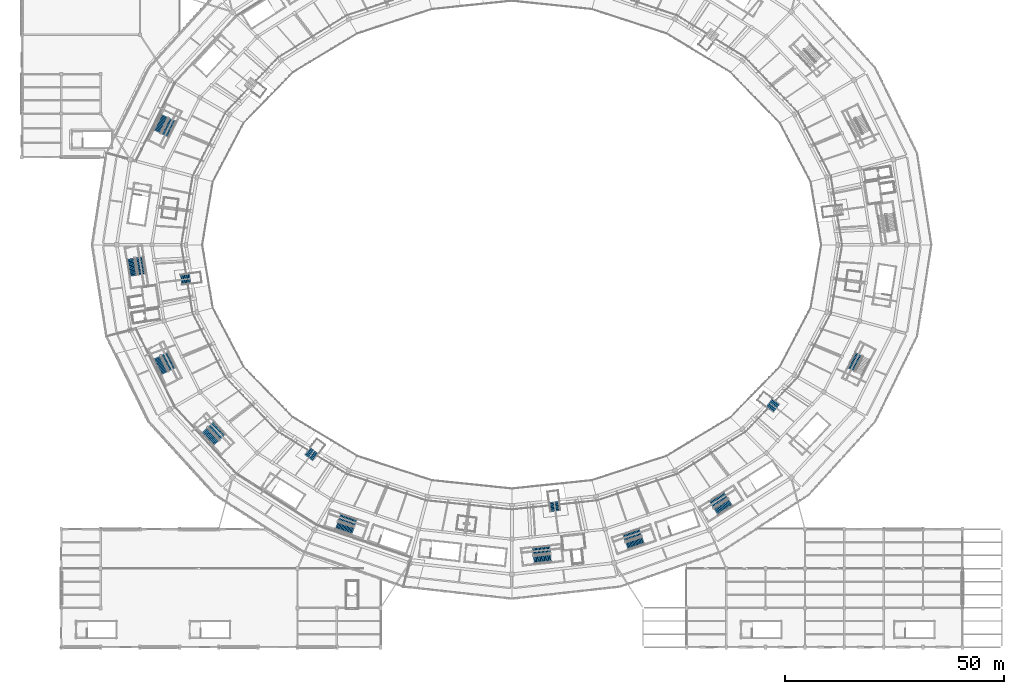
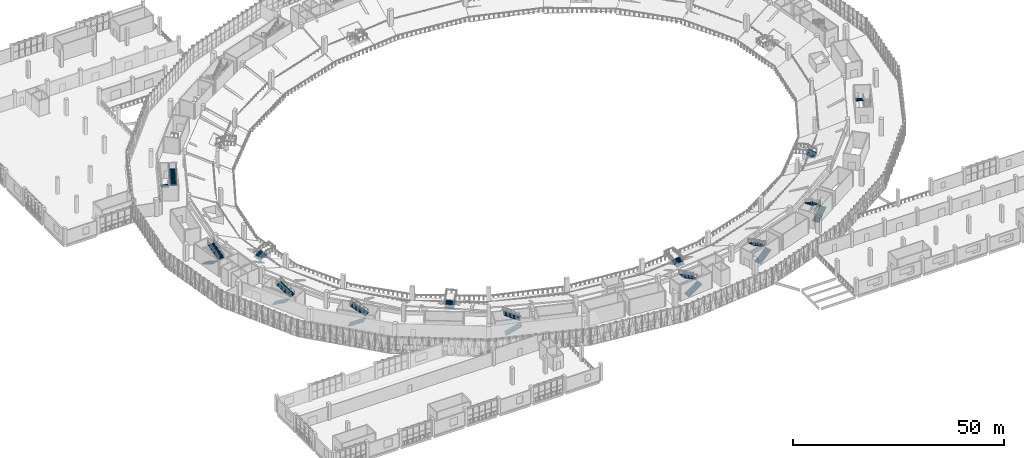
# One storey, part 103 of 152: 21 stair flights, 13 elements without a shape of their own.
"""IFC4 building model written with IfcOpenShell, lengths in metres."""

from ifc_helpers import new_model, si_unit, direction, frame, origin, place, context, subcontext, project, spatial, polyline, outline, extrude, material, type_object, element, aggregate, save


model = new_model("IFC4")

# Units and contexts
model_context = context("Model", 3, precision=1e-05, world=origin(), true_north=direction((0.0, 1.0)))
body_context = subcontext(model_context, "Body", "Model", "MODEL_VIEW")
ifc_project = project(units=[si_unit("LENGTHUNIT", "METRE"), si_unit("AREAUNIT", "SQUARE_METRE"), si_unit("VOLUMEUNIT", "CUBIC_METRE"), si_unit("PLANEANGLEUNIT", "RADIAN"), si_unit("MASSUNIT", "GRAM", prefix="KILO")], contexts=[model_context])

# Site, building, storey
site_placement = place(None, origin())
site = spatial("IfcSite", under=ifc_project, at=site_placement, CompositionType="ELEMENT")
building_placement = place(site_placement, origin())
building = spatial("IfcBuilding", under=site, at=building_placement, Name="Zevraka Park Crest Stadium", CompositionType="ELEMENT")
storey_placement = place(building_placement, frame((0.0, 0.0, 15.0)))
storey = spatial("IfcBuildingStorey", under=building, at=storey_placement, Name="L03", CompositionType="ELEMENT", Elevation=15.0)

# Stair, stair flights
ifc_material_1 = material(Name="Concrete C35/45", Category="concrete")
stair_type_1 = type_object("IfcStairType", Name="STA2", PredefinedType="HALF_TURN_STAIR", material=ifc_material_1)
stair_1_placement = place(storey_placement, origin())
stair_1 = element("IfcStair", 1, at=stair_1_placement, inside=storey, type_object=stair_type_1, Name="L03 Protected Concourse Exit Stair ST11", PredefinedType="HALF_TURN_STAIR")
ifc_material_2 = material(Name="Concrete C35/45", Category="concrete")
stair_flight_type_1 = type_object("IfcStairFlightType", Name="FLA2", PredefinedType="STRAIGHT", material=ifc_material_2)
stair_flight_1_placement = place(storey_placement, frame((32.707763671875, 121.415771484375, 0.0), z_axis=(0.0, 0.0, 1.0), x_axis=(-0.447915140373, -0.894076074518, 0.0)))
stair_flight_1 = element("IfcStairFlight", 2, at=stair_flight_1_placement, type_object=stair_flight_type_1, Name="ST11 flight 1", NumberOfRisers=14, NumberOfTreads=13, PredefinedType="STRAIGHT", RiserHeight=0.171428571, TreadLength=0.305, context=body_context, shape_type="SweptSolid", body=[
    extrude(outline(polyline([(0.0, 0.0), (0.0, 0.17138671875), (0.304931640625, 0.17138671875), (0.304931640625, 0.3427734375), (0.610107421875, 0.3427734375), (0.610107421875, 0.514404296875), (0.9150390625, 0.514404296875), (0.9150390625, 0.685791015625), (1.219970703125, 0.685791015625), (1.219970703125, 0.857177734375), (1.52490234375, 0.857177734375), (1.52490234375, 1.028564453125), (1.830078125, 1.028564453125), (1.830078125, 1.199951171875), (2.135009765625, 1.199951171875), (2.135009765625, 1.371337890625), (2.43994140625, 1.371337890625), (2.43994140625, 1.54296875), (2.7451171875, 1.54296875), (2.7451171875, 1.71435546875), (3.050048828125, 1.71435546875), (3.050048828125, 1.8857421875), (3.35498046875, 1.8857421875), (3.35498046875, 2.05712890625), (3.659912109375, 2.05712890625), (3.659912109375, 2.228515625), (3.965087890625, 2.228515625), (3.965087890625, 2.39990234375), (3.965087890625, 2.045166015625), (0.326416015625, 0.0), (0.0, 0.0)])), frame((0.0, 0.89990234375, 0.0), z_axis=(0.0, -1.0, 0.0), x_axis=(1.0, 0.0, 0.0)), (0.0, 0.0, 1.0), 1.800048828125),
])
stair_flight_2_placement = place(storey_placement, frame((32.684326171875, 116.99267578125, 2.39990234375), z_axis=(0.0, 0.0, 1.0), x_axis=(0.447915140373, 0.894076074518, 0.0)))
stair_flight_2 = element("IfcStairFlight", 3, at=stair_flight_2_placement, type_object=stair_flight_type_1, Name="ST11 flight 2", NumberOfRisers=14, NumberOfTreads=13, PredefinedType="STRAIGHT", RiserHeight=0.171428571, TreadLength=0.305, context=body_context, shape_type="SweptSolid", body=[
    extrude(outline(polyline([(0.0, 0.0), (0.0, 0.17138671875), (0.304931640625, 0.17138671875), (0.304931640625, 0.3427734375), (0.610107421875, 0.3427734375), (0.610107421875, 0.514404296875), (0.9150390625, 0.514404296875), (0.9150390625, 0.685791015625), (1.219970703125, 0.685791015625), (1.219970703125, 0.857177734375), (1.52490234375, 0.857177734375), (1.52490234375, 1.028564453125), (1.830078125, 1.028564453125), (1.830078125, 1.199951171875), (2.135009765625, 1.199951171875), (2.135009765625, 1.371337890625), (2.43994140625, 1.371337890625), (2.43994140625, 1.54296875), (2.7451171875, 1.54296875), (2.7451171875, 1.71435546875), (3.050048828125, 1.71435546875), (3.050048828125, 1.8857421875), (3.35498046875, 1.8857421875), (3.35498046875, 2.05712890625), (3.659912109375, 2.05712890625), (3.659912109375, 2.228515625), (3.965087890625, 2.228515625), (3.965087890625, 2.39990234375), (3.965087890625, 2.045166015625), (0.326416015625, 0.0), (0.0, 0.0)])), frame((0.0, 0.89990234375, 0.0), z_axis=(0.0, -1.0, 0.0), x_axis=(1.0, 0.0, 0.0)), (0.0, 0.0, 1.0), 1.800048828125),
])
aggregate(stair_1, [stair_flight_1, stair_flight_2])

stair_2_placement = place(storey_placement, origin())
stair_2 = element("IfcStair", 4, at=stair_2_placement, inside=storey, type_object=stair_type_1, Name="L03 Protected Concourse Exit Stair ST13", PredefinedType="HALF_TURN_STAIR")
stair_flight_3_placement = place(storey_placement, frame((24.9140625, 88.82666015625, 0.0), z_axis=(0.0, 0.0, 1.0), x_axis=(0.157261853897, -0.987556939781, 0.0)))
stair_flight_3 = element("IfcStairFlight", 5, at=stair_flight_3_placement, type_object=stair_flight_type_1, Name="ST13 flight 1", NumberOfRisers=14, NumberOfTreads=13, PredefinedType="STRAIGHT", RiserHeight=0.171428571, TreadLength=0.305, context=body_context, shape_type="SweptSolid", body=[
    extrude(outline(polyline([(0.0, 0.0), (0.0, 0.17138671875), (0.304931640625, 0.17138671875), (0.304931640625, 0.3427734375), (0.610107421875, 0.3427734375), (0.610107421875, 0.514404296875), (0.9150390625, 0.514404296875), (0.9150390625, 0.685791015625), (1.219970703125, 0.685791015625), (1.219970703125, 0.857177734375), (1.52490234375, 0.857177734375), (1.52490234375, 1.028564453125), (1.830078125, 1.028564453125), (1.830078125, 1.199951171875), (2.135009765625, 1.199951171875), (2.135009765625, 1.371337890625), (2.43994140625, 1.371337890625), (2.43994140625, 1.54296875), (2.7451171875, 1.54296875), (2.7451171875, 1.71435546875), (3.050048828125, 1.71435546875), (3.050048828125, 1.8857421875), (3.35498046875, 1.8857421875), (3.35498046875, 2.05712890625), (3.659912109375, 2.05712890625), (3.659912109375, 2.228515625), (3.965087890625, 2.228515625), (3.965087890625, 2.39990234375), (3.965087890625, 2.045166015625), (0.326416015625, 0.0), (0.0, 0.0)])), frame((0.0, 0.89990234375, 0.0), z_axis=(0.0, -1.0, 0.0), x_axis=(1.0, 0.0, 0.0)), (0.0, 0.0, 1.0), 1.800048828125),
])
stair_flight_4_placement = place(storey_placement, frame((27.47314453125, 85.21923828125, 2.39990234375), z_axis=(0.0, 0.0, 1.0), x_axis=(-0.157261853897, 0.987556939781, 0.0)))
stair_flight_4 = element("IfcStairFlight", 6, at=stair_flight_4_placement, type_object=stair_flight_type_1, Name="ST13 flight 2", NumberOfRisers=14, NumberOfTreads=13, PredefinedType="STRAIGHT", RiserHeight=0.171428571, TreadLength=0.305, context=body_context, shape_type="SweptSolid", body=[
    extrude(outline(polyline([(0.0, 0.0), (0.0, 0.17138671875), (0.304931640625, 0.17138671875), (0.304931640625, 0.3427734375), (0.610107421875, 0.3427734375), (0.610107421875, 0.514404296875), (0.9150390625, 0.514404296875), (0.9150390625, 0.685791015625), (1.219970703125, 0.685791015625), (1.219970703125, 0.857177734375), (1.52490234375, 0.857177734375), (1.52490234375, 1.028564453125), (1.830078125, 1.028564453125), (1.830078125, 1.199951171875), (2.135009765625, 1.199951171875), (2.135009765625, 1.371337890625), (2.43994140625, 1.371337890625), (2.43994140625, 1.54296875), (2.7451171875, 1.54296875), (2.7451171875, 1.71435546875), (3.050048828125, 1.71435546875), (3.050048828125, 1.8857421875), (3.35498046875, 1.8857421875), (3.35498046875, 2.05712890625), (3.659912109375, 2.05712890625), (3.659912109375, 2.228515625), (3.965087890625, 2.228515625), (3.965087890625, 2.39990234375), (3.965087890625, 2.045166015625), (0.326416015625, 0.0), (0.0, 0.0)])), frame((0.0, 0.89990234375, 0.0), z_axis=(0.0, -1.0, 0.0), x_axis=(1.0, 0.0, 0.0)), (0.0, 0.0, 1.0), 1.800048828125),
])
aggregate(stair_2, [stair_flight_3, stair_flight_4])

stair_3_placement = place(storey_placement, origin())
stair_3 = element("IfcStair", 7, at=stair_3_placement, inside=storey, type_object=stair_type_1, Name="L03 Protected Concourse Exit Stair ST14", PredefinedType="HALF_TURN_STAIR")
stair_flight_5_placement = place(storey_placement, frame((30.8935546875, 66.2060546875, 0.0), z_axis=(0.0, 0.0, 1.0), x_axis=(0.447915140373, -0.894076074518, 0.0)))
stair_flight_5 = element("IfcStairFlight", 8, at=stair_flight_5_placement, type_object=stair_flight_type_1, Name="ST14 flight 1", NumberOfRisers=14, NumberOfTreads=13, PredefinedType="STRAIGHT", RiserHeight=0.171428571, TreadLength=0.305, context=body_context, shape_type="SweptSolid", body=[
    extrude(outline(polyline([(0.0, 0.0), (0.0, 0.17138671875), (0.304931640625, 0.17138671875), (0.304931640625, 0.3427734375), (0.610107421875, 0.3427734375), (0.610107421875, 0.514404296875), (0.9150390625, 0.514404296875), (0.9150390625, 0.685791015625), (1.219970703125, 0.685791015625), (1.219970703125, 0.857177734375), (1.52490234375, 0.857177734375), (1.52490234375, 1.028564453125), (1.830078125, 1.028564453125), (1.830078125, 1.199951171875), (2.135009765625, 1.199951171875), (2.135009765625, 1.371337890625), (2.43994140625, 1.371337890625), (2.43994140625, 1.54296875), (2.7451171875, 1.54296875), (2.7451171875, 1.71435546875), (3.050048828125, 1.71435546875), (3.050048828125, 1.8857421875), (3.35498046875, 1.8857421875), (3.35498046875, 2.05712890625), (3.659912109375, 2.05712890625), (3.659912109375, 2.228515625), (3.965087890625, 2.228515625), (3.965087890625, 2.39990234375), (3.965087890625, 2.045166015625), (0.326416015625, 0.0), (0.0, 0.0)])), frame((0.0, 0.89990234375, 0.0), z_axis=(0.0, -1.0, 0.0), x_axis=(1.0, 0.0, 0.0)), (0.0, 0.0, 1.0), 1.800048828125),
])
stair_flight_6_placement = place(storey_placement, frame((34.421875, 63.538818359375, 2.39990234375), z_axis=(0.0, 0.0, 1.0), x_axis=(-0.447915140373, 0.894076074518, 0.0)))
stair_flight_6 = element("IfcStairFlight", 9, at=stair_flight_6_placement, type_object=stair_flight_type_1, Name="ST14 flight 2", NumberOfRisers=14, NumberOfTreads=13, PredefinedType="STRAIGHT", RiserHeight=0.171428571, TreadLength=0.305, context=body_context, shape_type="SweptSolid", body=[
    extrude(outline(polyline([(0.0, 0.0), (0.0, 0.17138671875), (0.304931640625, 0.17138671875), (0.304931640625, 0.3427734375), (0.610107421875, 0.3427734375), (0.610107421875, 0.514404296875), (0.9150390625, 0.514404296875), (0.9150390625, 0.685791015625), (1.219970703125, 0.685791015625), (1.219970703125, 0.857177734375), (1.52490234375, 0.857177734375), (1.52490234375, 1.028564453125), (1.830078125, 1.028564453125), (1.830078125, 1.199951171875), (2.135009765625, 1.199951171875), (2.135009765625, 1.371337890625), (2.43994140625, 1.371337890625), (2.43994140625, 1.54296875), (2.7451171875, 1.54296875), (2.7451171875, 1.71435546875), (3.050048828125, 1.71435546875), (3.050048828125, 1.8857421875), (3.35498046875, 1.8857421875), (3.35498046875, 2.05712890625), (3.659912109375, 2.05712890625), (3.659912109375, 2.228515625), (3.965087890625, 2.228515625), (3.965087890625, 2.39990234375), (3.965087890625, 2.045166015625), (0.326416015625, 0.0), (0.0, 0.0)])), frame((0.0, 0.89990234375, 0.0), z_axis=(0.0, -1.0, 0.0), x_axis=(1.0, 0.0, 0.0)), (0.0, 0.0, 1.0), 1.800048828125),
])
aggregate(stair_3, [stair_flight_5, stair_flight_6])

stair_4_placement = place(storey_placement, origin())
stair_4 = element("IfcStair", 10, at=stair_4_placement, inside=storey, type_object=stair_type_1, Name="L03 Protected Concourse Exit Stair ST15", PredefinedType="HALF_TURN_STAIR")
stair_flight_7_placement = place(storey_placement, frame((41.787353515625, 49.603759765625, 0.0), z_axis=(0.0, 0.0, 1.0), x_axis=(0.680255347227, -0.732975212793, 0.0)))
stair_flight_7 = element("IfcStairFlight", 11, at=stair_flight_7_placement, type_object=stair_flight_type_1, Name="ST15 flight 1", NumberOfRisers=14, NumberOfTreads=13, PredefinedType="STRAIGHT", RiserHeight=0.171428571, TreadLength=0.305, context=body_context, shape_type="SweptSolid", body=[
    extrude(outline(polyline([(0.0, 0.0), (0.0, 0.17138671875), (0.304931640625, 0.17138671875), (0.304931640625, 0.3427734375), (0.610107421875, 0.3427734375), (0.610107421875, 0.514404296875), (0.9150390625, 0.514404296875), (0.9150390625, 0.685791015625), (1.219970703125, 0.685791015625), (1.219970703125, 0.857177734375), (1.52490234375, 0.857177734375), (1.52490234375, 1.028564453125), (1.830078125, 1.028564453125), (1.830078125, 1.199951171875), (2.135009765625, 1.199951171875), (2.135009765625, 1.371337890625), (2.43994140625, 1.371337890625), (2.43994140625, 1.54296875), (2.7451171875, 1.54296875), (2.7451171875, 1.71435546875), (3.050048828125, 1.71435546875), (3.050048828125, 1.8857421875), (3.35498046875, 1.8857421875), (3.35498046875, 2.05712890625), (3.659912109375, 2.05712890625), (3.659912109375, 2.228515625), (3.965087890625, 2.228515625), (3.965087890625, 2.39990234375), (3.965087890625, 2.045166015625), (0.326416015625, 0.0), (0.0, 0.0)])), frame((0.0, 0.89990234375, 0.0), z_axis=(0.0, -1.0, 0.0), x_axis=(1.0, 0.0, 0.0)), (0.0, 0.0, 1.0), 1.800048828125),
])
stair_flight_8_placement = place(storey_placement, frame((45.921142578125, 48.03076171875, 2.39990234375), z_axis=(0.0, 0.0, 1.0), x_axis=(-0.680255347227, 0.732975212793, 0.0)))
stair_flight_8 = element("IfcStairFlight", 12, at=stair_flight_8_placement, type_object=stair_flight_type_1, Name="ST15 flight 2", NumberOfRisers=14, NumberOfTreads=13, PredefinedType="STRAIGHT", RiserHeight=0.171428571, TreadLength=0.305, context=body_context, shape_type="SweptSolid", body=[
    extrude(outline(polyline([(0.0, 0.0), (0.0, 0.17138671875), (0.304931640625, 0.17138671875), (0.304931640625, 0.3427734375), (0.610107421875, 0.3427734375), (0.610107421875, 0.514404296875), (0.9150390625, 0.514404296875), (0.9150390625, 0.685791015625), (1.219970703125, 0.685791015625), (1.219970703125, 0.857177734375), (1.52490234375, 0.857177734375), (1.52490234375, 1.028564453125), (1.830078125, 1.028564453125), (1.830078125, 1.199951171875), (2.135009765625, 1.199951171875), (2.135009765625, 1.371337890625), (2.43994140625, 1.371337890625), (2.43994140625, 1.54296875), (2.7451171875, 1.54296875), (2.7451171875, 1.71435546875), (3.050048828125, 1.71435546875), (3.050048828125, 1.8857421875), (3.35498046875, 1.8857421875), (3.35498046875, 2.05712890625), (3.659912109375, 2.05712890625), (3.659912109375, 2.228515625), (3.965087890625, 2.228515625), (3.965087890625, 2.39990234375), (3.965087890625, 2.045166015625), (0.326416015625, 0.0), (0.0, 0.0)])), frame((0.0, 0.89990234375, 0.0), z_axis=(0.0, -1.0, 0.0), x_axis=(1.0, 0.0, 0.0)), (0.0, 0.0, 1.0), 1.800048828125),
])
aggregate(stair_4, [stair_flight_7, stair_flight_8])

stair_5_placement = place(storey_placement, origin())
stair_5 = element("IfcStair", 13, at=stair_5_placement, inside=storey, type_object=stair_type_1, Name="L03 Protected Concourse Exit Stair ST17", PredefinedType="HALF_TURN_STAIR")
stair_flight_9_placement = place(storey_placement, frame((71.942626953125, 27.845458984375, 0.0), z_axis=(0.0, 0.0, 1.0), x_axis=(0.946066135515, -0.323973559463, 0.0)))
stair_flight_9 = element("IfcStairFlight", 14, at=stair_flight_9_placement, type_object=stair_flight_type_1, Name="ST17 flight 1", NumberOfRisers=14, NumberOfTreads=13, PredefinedType="STRAIGHT", RiserHeight=0.171428571, TreadLength=0.305, context=body_context, shape_type="SweptSolid", body=[
    extrude(outline(polyline([(0.0, 0.0), (0.0, 0.17138671875), (0.304931640625, 0.17138671875), (0.304931640625, 0.3427734375), (0.610107421875, 0.3427734375), (0.610107421875, 0.514404296875), (0.9150390625, 0.514404296875), (0.9150390625, 0.685791015625), (1.219970703125, 0.685791015625), (1.219970703125, 0.857177734375), (1.52490234375, 0.857177734375), (1.52490234375, 1.028564453125), (1.830078125, 1.028564453125), (1.830078125, 1.199951171875), (2.135009765625, 1.199951171875), (2.135009765625, 1.371337890625), (2.43994140625, 1.371337890625), (2.43994140625, 1.54296875), (2.7451171875, 1.54296875), (2.7451171875, 1.71435546875), (3.050048828125, 1.71435546875), (3.050048828125, 1.8857421875), (3.35498046875, 1.8857421875), (3.35498046875, 2.05712890625), (3.659912109375, 2.05712890625), (3.659912109375, 2.228515625), (3.965087890625, 2.228515625), (3.965087890625, 2.39990234375), (3.965087890625, 2.045166015625), (0.326416015625, 0.0), (0.0, 0.0)])), frame((0.0, 0.89990234375, 0.0), z_axis=(0.0, -1.0, 0.0), x_axis=(1.0, 0.0, 0.0)), (0.0, 0.0, 1.0), 1.800048828125),
])
stair_flight_10_placement = place(storey_placement, frame((76.328857421875, 28.415283203125, 2.39990234375), z_axis=(0.0, 0.0, 1.0), x_axis=(-0.946066135515, 0.323973559463, 0.0)))
stair_flight_10 = element("IfcStairFlight", 15, at=stair_flight_10_placement, type_object=stair_flight_type_1, Name="ST17 flight 2", NumberOfRisers=14, NumberOfTreads=13, PredefinedType="STRAIGHT", RiserHeight=0.171428571, TreadLength=0.305, context=body_context, shape_type="SweptSolid", body=[
    extrude(outline(polyline([(0.0, 0.0), (0.0, 0.17138671875), (0.304931640625, 0.17138671875), (0.304931640625, 0.3427734375), (0.610107421875, 0.3427734375), (0.610107421875, 0.514404296875), (0.9150390625, 0.514404296875), (0.9150390625, 0.685791015625), (1.219970703125, 0.685791015625), (1.219970703125, 0.857177734375), (1.52490234375, 0.857177734375), (1.52490234375, 1.028564453125), (1.830078125, 1.028564453125), (1.830078125, 1.199951171875), (2.135009765625, 1.199951171875), (2.135009765625, 1.371337890625), (2.43994140625, 1.371337890625), (2.43994140625, 1.54296875), (2.7451171875, 1.54296875), (2.7451171875, 1.71435546875), (3.050048828125, 1.71435546875), (3.050048828125, 1.8857421875), (3.35498046875, 1.8857421875), (3.35498046875, 2.05712890625), (3.659912109375, 2.05712890625), (3.659912109375, 2.228515625), (3.965087890625, 2.228515625), (3.965087890625, 2.39990234375), (3.965087890625, 2.045166015625), (0.326416015625, 0.0), (0.0, 0.0)])), frame((0.0, 0.89990234375, 0.0), z_axis=(0.0, -1.0, 0.0), x_axis=(1.0, 0.0, 0.0)), (0.0, 0.0, 1.0), 1.800048828125),
])
aggregate(stair_5, [stair_flight_9, stair_flight_10])

stair_6_placement = place(storey_placement, origin())
stair_6 = element("IfcStair", 16, at=stair_6_placement, inside=storey, type_object=stair_type_1, Name="L03 Protected Concourse Exit Stair ST19", PredefinedType="HALF_TURN_STAIR")
stair_flight_11_placement = place(storey_placement, frame((117.02490234375, 19.961181640625, 0.0), z_axis=(0.0, 0.0, 1.0), x_axis=(0.994127567381, 0.108214508149, 0.0)))
stair_flight_11 = element("IfcStairFlight", 17, at=stair_flight_11_placement, type_object=stair_flight_type_1, Name="ST19 flight 1", NumberOfRisers=14, NumberOfTreads=13, PredefinedType="STRAIGHT", RiserHeight=0.171428571, TreadLength=0.305, context=body_context, shape_type="SweptSolid", body=[
    extrude(outline(polyline([(0.0, 0.0), (0.0, 0.17138671875), (0.304931640625, 0.17138671875), (0.304931640625, 0.3427734375), (0.610107421875, 0.3427734375), (0.610107421875, 0.514404296875), (0.9150390625, 0.514404296875), (0.9150390625, 0.685791015625), (1.219970703125, 0.685791015625), (1.219970703125, 0.857177734375), (1.52490234375, 0.857177734375), (1.52490234375, 1.028564453125), (1.830078125, 1.028564453125), (1.830078125, 1.199951171875), (2.135009765625, 1.199951171875), (2.135009765625, 1.371337890625), (2.43994140625, 1.371337890625), (2.43994140625, 1.54296875), (2.7451171875, 1.54296875), (2.7451171875, 1.71435546875), (3.050048828125, 1.71435546875), (3.050048828125, 1.8857421875), (3.35498046875, 1.8857421875), (3.35498046875, 2.05712890625), (3.659912109375, 2.05712890625), (3.659912109375, 2.228515625), (3.965087890625, 2.228515625), (3.965087890625, 2.39990234375), (3.965087890625, 2.045166015625), (0.326416015625, 0.0), (0.0, 0.0)])), frame((0.0, 0.89990234375, 0.0), z_axis=(0.0, -1.0, 0.0), x_axis=(1.0, 0.0, 0.0)), (0.0, 0.0, 1.0), 1.800048828125),
])
stair_flight_12_placement = place(storey_placement, frame((120.754638671875, 22.3388671875, 2.39990234375), z_axis=(0.0, 0.0, 1.0), x_axis=(-0.994127567381, -0.108214508149, 0.0)))
stair_flight_12 = element("IfcStairFlight", 18, at=stair_flight_12_placement, type_object=stair_flight_type_1, Name="ST19 flight 2", NumberOfRisers=14, NumberOfTreads=13, PredefinedType="STRAIGHT", RiserHeight=0.171428571, TreadLength=0.305, context=body_context, shape_type="SweptSolid", body=[
    extrude(outline(polyline([(0.0, 0.0), (0.0, 0.17138671875), (0.304931640625, 0.17138671875), (0.304931640625, 0.3427734375), (0.610107421875, 0.3427734375), (0.610107421875, 0.514404296875), (0.9150390625, 0.514404296875), (0.9150390625, 0.685791015625), (1.219970703125, 0.685791015625), (1.219970703125, 0.857177734375), (1.52490234375, 0.857177734375), (1.52490234375, 1.028564453125), (1.830078125, 1.028564453125), (1.830078125, 1.199951171875), (2.135009765625, 1.199951171875), (2.135009765625, 1.371337890625), (2.43994140625, 1.371337890625), (2.43994140625, 1.54296875), (2.7451171875, 1.54296875), (2.7451171875, 1.71435546875), (3.050048828125, 1.71435546875), (3.050048828125, 1.8857421875), (3.35498046875, 1.8857421875), (3.35498046875, 2.05712890625), (3.659912109375, 2.05712890625), (3.659912109375, 2.228515625), (3.965087890625, 2.228515625), (3.965087890625, 2.39990234375), (3.965087890625, 2.045166015625), (0.326416015625, 0.0), (0.0, 0.0)])), frame((0.0, 0.89990234375, 0.0), z_axis=(0.0, -1.0, 0.0), x_axis=(1.0, 0.0, 0.0)), (0.0, 0.0, 1.0), 1.800048828125),
])
aggregate(stair_6, [stair_flight_11, stair_flight_12])

stair_7_placement = place(storey_placement, origin())
stair_7 = element("IfcStair", 19, at=stair_7_placement, inside=storey, type_object=stair_type_1, Name="L03 Protected Concourse Exit Stair ST20", PredefinedType="HALF_TURN_STAIR")
stair_flight_13_placement = place(storey_placement, frame((138.29150390625, 23.13232421875, 0.0), z_axis=(0.0, 0.0, 1.0), x_axis=(0.946066135515, 0.323973559463, 0.0)))
stair_flight_13 = element("IfcStairFlight", 20, at=stair_flight_13_placement, type_object=stair_flight_type_1, Name="ST20 flight 1", NumberOfRisers=14, NumberOfTreads=13, PredefinedType="STRAIGHT", RiserHeight=0.171428571, TreadLength=0.305, context=body_context, shape_type="SweptSolid", body=[
    extrude(outline(polyline([(0.0, 0.0), (0.0, 0.17138671875), (0.304931640625, 0.17138671875), (0.304931640625, 0.3427734375), (0.610107421875, 0.3427734375), (0.610107421875, 0.514404296875), (0.9150390625, 0.514404296875), (0.9150390625, 0.685791015625), (1.219970703125, 0.685791015625), (1.219970703125, 0.857177734375), (1.52490234375, 0.857177734375), (1.52490234375, 1.028564453125), (1.830078125, 1.028564453125), (1.830078125, 1.199951171875), (2.135009765625, 1.199951171875), (2.135009765625, 1.371337890625), (2.43994140625, 1.371337890625), (2.43994140625, 1.54296875), (2.7451171875, 1.54296875), (2.7451171875, 1.71435546875), (3.050048828125, 1.71435546875), (3.050048828125, 1.8857421875), (3.35498046875, 1.8857421875), (3.35498046875, 2.05712890625), (3.659912109375, 2.05712890625), (3.659912109375, 2.228515625), (3.965087890625, 2.228515625), (3.965087890625, 2.39990234375), (3.965087890625, 2.045166015625), (0.326416015625, 0.0), (0.0, 0.0)])), frame((0.0, 0.89990234375, 0.0), z_axis=(0.0, -1.0, 0.0), x_axis=(1.0, 0.0, 0.0)), (0.0, 0.0, 1.0), 1.800048828125),
])
stair_flight_14_placement = place(storey_placement, frame((141.40771484375, 26.271240234375, 2.39990234375), z_axis=(0.0, 0.0, 1.0), x_axis=(-0.946066135515, -0.323973559463, 0.0)))
stair_flight_14 = element("IfcStairFlight", 21, at=stair_flight_14_placement, type_object=stair_flight_type_1, Name="ST20 flight 2", NumberOfRisers=14, NumberOfTreads=13, PredefinedType="STRAIGHT", RiserHeight=0.171428571, TreadLength=0.305, context=body_context, shape_type="SweptSolid", body=[
    extrude(outline(polyline([(0.0, 0.0), (0.0, 0.17138671875), (0.304931640625, 0.17138671875), (0.304931640625, 0.3427734375), (0.610107421875, 0.3427734375), (0.610107421875, 0.514404296875), (0.9150390625, 0.514404296875), (0.9150390625, 0.685791015625), (1.219970703125, 0.685791015625), (1.219970703125, 0.857177734375), (1.52490234375, 0.857177734375), (1.52490234375, 1.028564453125), (1.830078125, 1.028564453125), (1.830078125, 1.199951171875), (2.135009765625, 1.199951171875), (2.135009765625, 1.371337890625), (2.43994140625, 1.371337890625), (2.43994140625, 1.54296875), (2.7451171875, 1.54296875), (2.7451171875, 1.71435546875), (3.050048828125, 1.71435546875), (3.050048828125, 1.8857421875), (3.35498046875, 1.8857421875), (3.35498046875, 2.05712890625), (3.659912109375, 2.05712890625), (3.659912109375, 2.228515625), (3.965087890625, 2.228515625), (3.965087890625, 2.39990234375), (3.965087890625, 2.045166015625), (0.326416015625, 0.0), (0.0, 0.0)])), frame((0.0, 0.89990234375, 0.0), z_axis=(0.0, -1.0, 0.0), x_axis=(1.0, 0.0, 0.0)), (0.0, 0.0, 1.0), 1.800048828125),
])
aggregate(stair_7, [stair_flight_13, stair_flight_14])

stair_8_placement = place(storey_placement, origin())
stair_8 = element("IfcStair", 22, at=stair_8_placement, inside=storey, type_object=stair_type_1, Name="L03 Protected Concourse Exit Stair ST21", PredefinedType="HALF_TURN_STAIR")
stair_flight_15_placement = place(storey_placement, frame((158.64990234375, 30.957275390625, 0.0), z_axis=(0.0, 0.0, 1.0), x_axis=(0.844397122829, 0.535717741874, 0.0)))
stair_flight_15 = element("IfcStairFlight", 23, at=stair_flight_15_placement, type_object=stair_flight_type_1, Name="ST21 flight 1", NumberOfRisers=14, NumberOfTreads=13, PredefinedType="STRAIGHT", RiserHeight=0.171428571, TreadLength=0.305, context=body_context, shape_type="SweptSolid", body=[
    extrude(outline(polyline([(0.0, 0.0), (0.0, 0.17138671875), (0.304931640625, 0.17138671875), (0.304931640625, 0.3427734375), (0.610107421875, 0.3427734375), (0.610107421875, 0.514404296875), (0.9150390625, 0.514404296875), (0.9150390625, 0.685791015625), (1.219970703125, 0.685791015625), (1.219970703125, 0.857177734375), (1.52490234375, 0.857177734375), (1.52490234375, 1.028564453125), (1.830078125, 1.028564453125), (1.830078125, 1.199951171875), (2.135009765625, 1.199951171875), (2.135009765625, 1.371337890625), (2.43994140625, 1.371337890625), (2.43994140625, 1.54296875), (2.7451171875, 1.54296875), (2.7451171875, 1.71435546875), (3.050048828125, 1.71435546875), (3.050048828125, 1.8857421875), (3.35498046875, 1.8857421875), (3.35498046875, 2.05712890625), (3.659912109375, 2.05712890625), (3.659912109375, 2.228515625), (3.965087890625, 2.228515625), (3.965087890625, 2.39990234375), (3.965087890625, 2.045166015625), (0.326416015625, 0.0), (0.0, 0.0)])), frame((0.0, 0.89990234375, 0.0), z_axis=(0.0, -1.0, 0.0), x_axis=(1.0, 0.0, 0.0)), (0.0, 0.0, 1.0), 1.800048828125),
])
stair_flight_16_placement = place(storey_placement, frame((160.94775390625, 34.736328125, 2.39990234375), z_axis=(0.0, 0.0, 1.0), x_axis=(-0.844397122829, -0.535717741874, 0.0)))
stair_flight_16 = element("IfcStairFlight", 24, at=stair_flight_16_placement, type_object=stair_flight_type_1, Name="ST21 flight 2", NumberOfRisers=14, NumberOfTreads=13, PredefinedType="STRAIGHT", RiserHeight=0.171428571, TreadLength=0.305, context=body_context, shape_type="SweptSolid", body=[
    extrude(outline(polyline([(0.0, 0.0), (0.0, 0.17138671875), (0.304931640625, 0.17138671875), (0.304931640625, 0.3427734375), (0.610107421875, 0.3427734375), (0.610107421875, 0.514404296875), (0.9150390625, 0.514404296875), (0.9150390625, 0.685791015625), (1.219970703125, 0.685791015625), (1.219970703125, 0.857177734375), (1.52490234375, 0.857177734375), (1.52490234375, 1.028564453125), (1.830078125, 1.028564453125), (1.830078125, 1.199951171875), (2.135009765625, 1.199951171875), (2.135009765625, 1.371337890625), (2.43994140625, 1.371337890625), (2.43994140625, 1.54296875), (2.7451171875, 1.54296875), (2.7451171875, 1.71435546875), (3.050048828125, 1.71435546875), (3.050048828125, 1.8857421875), (3.35498046875, 1.8857421875), (3.35498046875, 2.05712890625), (3.659912109375, 2.05712890625), (3.659912109375, 2.228515625), (3.965087890625, 2.228515625), (3.965087890625, 2.39990234375), (3.965087890625, 2.045166015625), (0.326416015625, 0.0), (0.0, 0.0)])), frame((0.0, 0.89990234375, 0.0), z_axis=(0.0, -1.0, 0.0), x_axis=(1.0, 0.0, 0.0)), (0.0, 0.0, 1.0), 1.800048828125),
])
aggregate(stair_8, [stair_flight_15, stair_flight_16])

# Stair, stair flight
stair_9_placement = place(storey_placement, origin())
stair_9 = element("IfcStair", 25, at=stair_9_placement, inside=storey, type_object=stair_type_1, Name="L03 Protected Concourse Exit Stair ST23", PredefinedType="HALF_TURN_STAIR")
stair_flight_17_placement = place(storey_placement, frame((191.315673828125, 67.00732421875, 2.39990234375), z_axis=(0.0, 0.0, 1.0), x_axis=(-0.447915140373, -0.894076074518, 0.0)))
stair_flight_17 = element("IfcStairFlight", 26, at=stair_flight_17_placement, type_object=stair_flight_type_1, Name="ST23 flight 2", NumberOfRisers=14, NumberOfTreads=13, PredefinedType="STRAIGHT", RiserHeight=0.171428571, TreadLength=0.305, context=body_context, shape_type="SweptSolid", body=[
    extrude(outline(polyline([(0.0, 0.0), (0.0, 0.17138671875), (0.304931640625, 0.17138671875), (0.304931640625, 0.3427734375), (0.610107421875, 0.3427734375), (0.610107421875, 0.514404296875), (0.9150390625, 0.514404296875), (0.9150390625, 0.685791015625), (1.219970703125, 0.685791015625), (1.219970703125, 0.857177734375), (1.52490234375, 0.857177734375), (1.52490234375, 1.028564453125), (1.830078125, 1.028564453125), (1.830078125, 1.199951171875), (2.135009765625, 1.199951171875), (2.135009765625, 1.371337890625), (2.43994140625, 1.371337890625), (2.43994140625, 1.54296875), (2.7451171875, 1.54296875), (2.7451171875, 1.71435546875), (3.050048828125, 1.71435546875), (3.050048828125, 1.8857421875), (3.35498046875, 1.8857421875), (3.35498046875, 2.05712890625), (3.659912109375, 2.05712890625), (3.659912109375, 2.228515625), (3.965087890625, 2.228515625), (3.965087890625, 2.39990234375), (3.965087890625, 2.045166015625), (0.326416015625, 0.0), (0.0, 0.0)])), frame((0.0, 0.89990234375, 0.0), z_axis=(0.0, -1.0, 0.0), x_axis=(1.0, 0.0, 0.0)), (0.0, 0.0, 1.0), 1.800048828125),
])
aggregate(stair_9, [stair_flight_17])

ifc_material_3 = material(Name="Concrete C35/45", Category="concrete")
stair_type_2 = type_object("IfcStairType", Name="VST1", PredefinedType="STRAIGHT_RUN_STAIR", material=ifc_material_3)
stair_10_placement = place(storey_placement, origin())
stair_10 = element("IfcStair", 27, at=stair_10_placement, inside=storey, type_object=stair_type_2, Name="Vomitory Stair VS-13", PredefinedType="STRAIGHT_RUN_STAIR")
ifc_material_4 = material(Name="Concrete C35/45", Category="concrete")
stair_flight_type_2 = type_object("IfcStairFlightType", Name="FLVS", PredefinedType="STRAIGHT", material=ifc_material_4)
stair_flight_18_placement = place(storey_placement, frame((36.389892578125, 83.987060546875, 0.0), z_axis=(0.0, 0.0, 1.0), x_axis=(0.991443950105, 0.130533113808, 0.0)))
stair_flight_18 = element("IfcStairFlight", 28, at=stair_flight_18_placement, type_object=stair_flight_type_2, Name="VST1 flight 1", NumberOfRisers=8, NumberOfTreads=7, PredefinedType="STRAIGHT", RiserHeight=0.15, TreadLength=0.3, context=body_context, shape_type="SweptSolid", body=[
    extrude(outline(polyline([(0.0, 0.0), (0.0, 0.14990234375), (0.300048828125, 0.14990234375), (0.300048828125, 0.300048828125), (0.60009765625, 0.300048828125), (0.60009765625, 0.449951171875), (0.89990234375, 0.449951171875), (0.89990234375, 0.60009765625), (1.199951171875, 0.60009765625), (1.199951171875, 0.75), (1.5, 0.75), (1.5, 0.89990234375), (1.800048828125, 0.89990234375), (1.800048828125, 1.050048828125), (2.10009765625, 1.050048828125), (2.10009765625, 1.199951171875), (2.10009765625, 0.848876953125), (0.40234375, 0.0), (0.0, 0.0)])), frame((0.0, 1.199951171875, 0.0), z_axis=(0.0, -1.0, 0.0), x_axis=(1.0, 0.0, 0.0)), (0.0, 0.0, 1.0), 2.39990234375),
])
aggregate(stair_10, [stair_flight_18])

stair_11_placement = place(storey_placement, origin())
stair_11 = element("IfcStair", 29, at=stair_11_placement, inside=storey, type_object=stair_type_2, Name="Vomitory Stair VS-14", PredefinedType="STRAIGHT_RUN_STAIR")
stair_flight_19_placement = place(storey_placement, frame((65.573974609375, 43.294921875, 0.0), z_axis=(0.0, 0.0, 1.0), x_axis=(0.608797429615, 0.793325714757, 0.0)))
stair_flight_19 = element("IfcStairFlight", 30, at=stair_flight_19_placement, type_object=stair_flight_type_2, Name="VST1 flight 1", NumberOfRisers=8, NumberOfTreads=7, PredefinedType="STRAIGHT", RiserHeight=0.15, TreadLength=0.3, context=body_context, shape_type="SweptSolid", body=[
    extrude(outline(polyline([(0.0, 0.0), (0.0, 0.14990234375), (0.300048828125, 0.14990234375), (0.300048828125, 0.300048828125), (0.60009765625, 0.300048828125), (0.60009765625, 0.449951171875), (0.89990234375, 0.449951171875), (0.89990234375, 0.60009765625), (1.199951171875, 0.60009765625), (1.199951171875, 0.75), (1.5, 0.75), (1.5, 0.89990234375), (1.800048828125, 0.89990234375), (1.800048828125, 1.050048828125), (2.10009765625, 1.050048828125), (2.10009765625, 1.199951171875), (2.10009765625, 0.848876953125), (0.40234375, 0.0), (0.0, 0.0)])), frame((0.0, 1.199951171875, 0.0), z_axis=(0.0, -1.0, 0.0), x_axis=(1.0, 0.0, 0.0)), (0.0, 0.0, 1.0), 2.39990234375),
])
aggregate(stair_11, [stair_flight_19])

stair_12_placement = place(storey_placement, origin())
stair_12 = element("IfcStair", 31, at=stair_12_placement, inside=storey, type_object=stair_type_2, Name="Vomitory Stair VS-15", PredefinedType="STRAIGHT_RUN_STAIR")
stair_flight_20_placement = place(storey_placement, frame((121.9541015625, 31.134033203125, 0.0), z_axis=(0.0, 0.0, 1.0), x_axis=(-0.130541765783, 0.991442810951, 0.0)))
stair_flight_20 = element("IfcStairFlight", 32, at=stair_flight_20_placement, type_object=stair_flight_type_2, Name="VST1 flight 1", NumberOfRisers=8, NumberOfTreads=7, PredefinedType="STRAIGHT", RiserHeight=0.15, TreadLength=0.3, context=body_context, shape_type="SweptSolid", body=[
    extrude(outline(polyline([(0.0, 0.0), (0.0, 0.14990234375), (0.300048828125, 0.14990234375), (0.300048828125, 0.300048828125), (0.60009765625, 0.300048828125), (0.60009765625, 0.449951171875), (0.89990234375, 0.449951171875), (0.89990234375, 0.60009765625), (1.199951171875, 0.60009765625), (1.199951171875, 0.75), (1.5, 0.75), (1.5, 0.89990234375), (1.800048828125, 0.89990234375), (1.800048828125, 1.050048828125), (2.10009765625, 1.050048828125), (2.10009765625, 1.199951171875), (2.10009765625, 0.848876953125), (0.40234375, 0.0), (0.0, 0.0)])), frame((0.0, 1.199951171875, 0.0), z_axis=(0.0, -1.0, 0.0), x_axis=(1.0, 0.0, 0.0)), (0.0, 0.0, 1.0), 2.39990234375),
])
aggregate(stair_12, [stair_flight_20])

stair_13_placement = place(storey_placement, origin())
stair_13 = element("IfcStair", 33, at=stair_13_placement, inside=storey, type_object=stair_type_2, Name="Vomitory Stair VS-16", PredefinedType="STRAIGHT_RUN_STAIR")
stair_flight_21_placement = place(storey_placement, frame((172.5029296875, 54.6279296875, 0.0), z_axis=(0.0, 0.0, 1.0), x_axis=(-0.793380964192, 0.608725427149, 0.0)))
stair_flight_21 = element("IfcStairFlight", 34, at=stair_flight_21_placement, type_object=stair_flight_type_2, Name="VST1 flight 1", NumberOfRisers=8, NumberOfTreads=7, PredefinedType="STRAIGHT", RiserHeight=0.15, TreadLength=0.3, context=body_context, shape_type="SweptSolid", body=[
    extrude(outline(polyline([(0.0, 0.0), (0.0, 0.14990234375), (0.300048828125, 0.14990234375), (0.300048828125, 0.300048828125), (0.60009765625, 0.300048828125), (0.60009765625, 0.449951171875), (0.89990234375, 0.449951171875), (0.89990234375, 0.60009765625), (1.199951171875, 0.60009765625), (1.199951171875, 0.75), (1.5, 0.75), (1.5, 0.89990234375), (1.800048828125, 0.89990234375), (1.800048828125, 1.050048828125), (2.10009765625, 1.050048828125), (2.10009765625, 1.199951171875), (2.10009765625, 0.848876953125), (0.40234375, 0.0), (0.0, 0.0)])), frame((0.0, 1.199951171875, 0.0), z_axis=(0.0, -1.0, 0.0), x_axis=(1.0, 0.0, 0.0)), (0.0, 0.0, 1.0), 2.39990234375),
])
aggregate(stair_13, [stair_flight_21])

save(model, "model.ifc")
